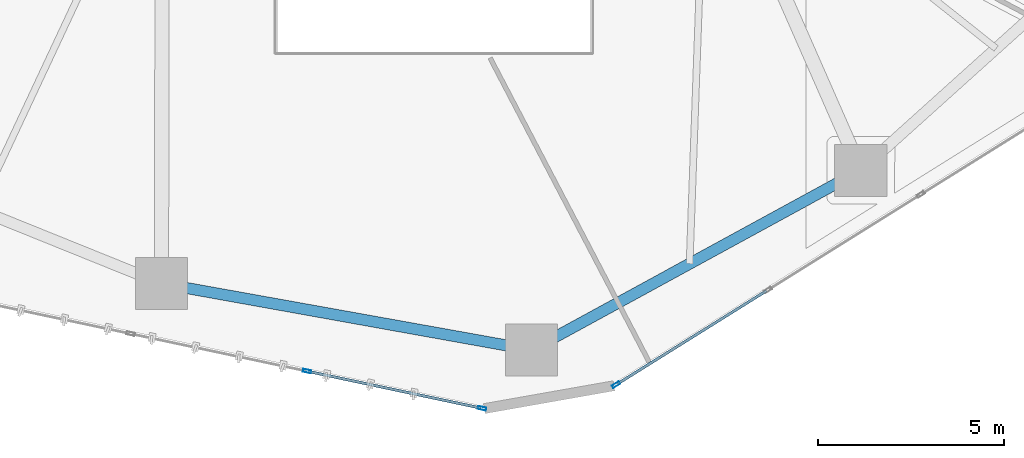
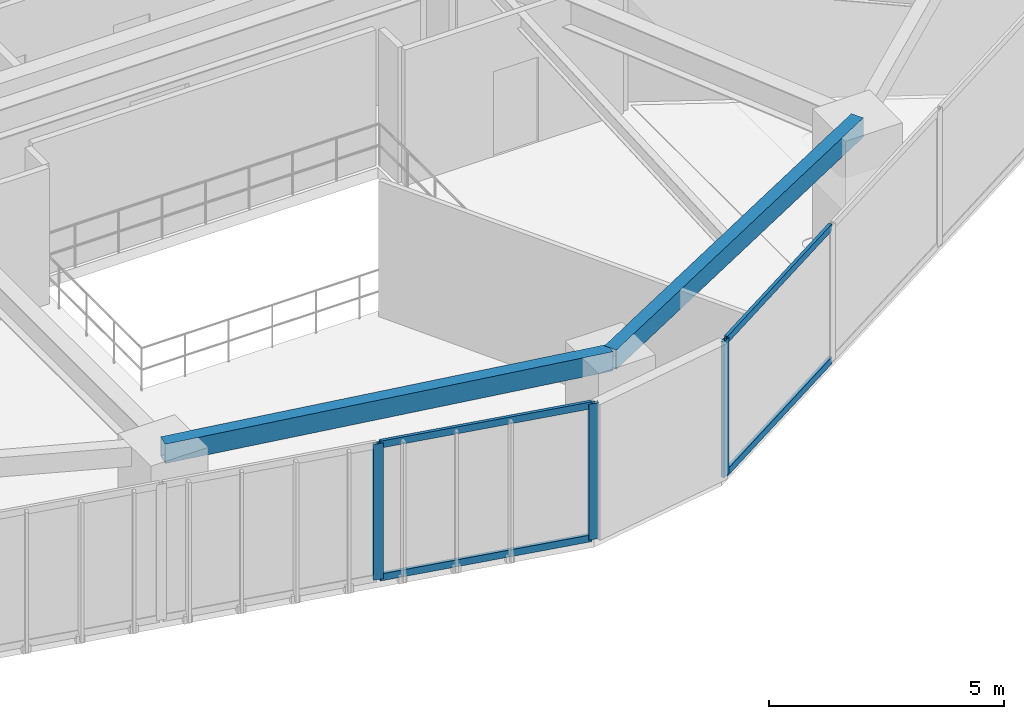
# One storey, part 4 of 22: 7 members, 2 beams, 2 elements without a shape of their own.
"""IFC4 building model written with IfcOpenShell, lengths in metres."""

from ifc_helpers import new_model, si_unit, direction, frame, origin, origin_2d, place, context, subcontext, project, spatial, hollow_rectangle, extrude, source, transform, mapped, material, layer, layer_set, material_profile, profile_set, type_object, type_shapes, element, aggregate, save


model = new_model("IFC4")

# Units and contexts
model_context = context("Model", 3, precision=1e-05, world=origin(), true_north=direction((0.0, 1.0)))
body_context = subcontext(model_context, "Body", "Model", "MODEL_VIEW")
ifc_project = project(units=[si_unit("LENGTHUNIT", "METRE"), si_unit("AREAUNIT", "SQUARE_METRE"), si_unit("VOLUMEUNIT", "CUBIC_METRE"), si_unit("PLANEANGLEUNIT", "RADIAN"), si_unit("MASSUNIT", "GRAM", prefix="KILO")], contexts=[model_context])

# Site, building, storey
site_placement = place(None, origin())
site = spatial("IfcSite", under=ifc_project, at=site_placement, CompositionType="ELEMENT")
building_placement = place(site_placement, origin())
building = spatial("IfcBuilding", under=site, at=building_placement, Name="Talar Marvaseh", CompositionType="ELEMENT")
storey_placement = place(building_placement, frame((0.0, 0.0, 54.39990234375)))
storey = spatial("IfcBuildingStorey", under=building, at=storey_placement, Name="L13", CompositionType="ELEMENT", Elevation=54.39990234375)

# Beams
ifc_material_1 = material(Name="Steel S355", Category="steel")
ifc_material_profile_1 = material_profile(ifc_material_1, hollow_rectangle(XDim=0.300048828125, YDim=0.5, WallThickness=0.02001953125, at=origin_2d()), Name="RHS500x300x20")
ifc_profile_set_1 = profile_set([ifc_material_profile_1], Name="Steel S355")
beam_type = type_object("IfcBeamType", Name="Zone 1 Perimeter Spandrel Beam RHS500x300x20", PredefinedType="SPANDREL", material=ifc_profile_set_1)
beam_1_placement = place(storey_placement, frame((37.468017578125, 16.02099609375, 3.27001953125), z_axis=(-0.877792749602, -0.47904059196, 0.0), x_axis=(0.47904059196, -0.877792749602, 0.0)))
element("IfcBeam", 1, at=beam_1_placement, inside=storey, type_object=beam_type, Name="L13 Zone 1 Perimeter Spandrel Beam RHS500x300x20", PredefinedType="SPANDREL", context=body_context, shape_type="SweptSolid", body=[
    extrude(hollow_rectangle(XDim=0.300048828125, YDim=0.5, WallThickness=0.02001953125, at=origin_2d()), origin(), (0.0, 0.0, 1.0), 10.07421875),
])
beam_2_placement = place(storey_placement, frame((28.625, 11.195068359375, 3.27001953125), z_axis=(-0.984279934962, 0.176615428632, 0.0), x_axis=(-0.176615428632, -0.984279934962, 0.0)))
element("IfcBeam", 2, at=beam_2_placement, inside=storey, type_object=beam_type, Name="L13 Zone 1 Perimeter Spandrel Beam RHS500x300x20", PredefinedType="SPANDREL", context=body_context, shape_type="SweptSolid", body=[
    extrude(hollow_rectangle(XDim=0.300048828125, YDim=0.5, WallThickness=0.02001953125, at=origin_2d()), origin(), (0.0, 0.0, 1.0), 10.1005859375),
])

# Curtain wall, member
ifc_material_2 = material(Name="Architectural Aluminium", Category="aluminium")
ifc_layer = layer(ifc_material_2, 0.219970703125)
ifc_layer_set = layer_set([ifc_layer], Name="Architectural Aluminium")
curtain_wall_type = type_object("IfcCurtainWallType", Name="Unitised Low-E Museum Curtain Wall Z1", PredefinedType="NOTDEFINED", material=ifc_layer_set)
curtain_wall_1_placement = place(storey_placement, origin())
curtain_wall_1 = element("IfcCurtainWall", 3, at=curtain_wall_1_placement, inside=storey, type_object=curtain_wall_type, Name="L13 Unitised Low-E Museum Curtain Wall Z1", PredefinedType="NOTDEFINED")
ifc_material_profile_2 = material_profile(ifc_material_2, hollow_rectangle(XDim=0.080078125, YDim=0.219970703125, WallThickness=0.0048828125, at=origin_2d()), Name="RHS220x80x5")
ifc_profile_set_2 = profile_set([ifc_material_profile_2], Name="Architectural Aluminium")
member_type_1 = type_object("IfcMemberType", Name="Unitised Curtain Wall Heavy Mullion RHS220x80x5", PredefinedType="MULLION", material=ifc_profile_set_2)
shared_shape_1 = source(origin(), body_context, "Body", "SweptSolid", [
    extrude(hollow_rectangle(XDim=0.080078125, YDim=0.219970703125, WallThickness=0.0048828125, at=origin_2d()), origin(), (0.0, 0.0, 1.0), 3.52001953125),
])
type_shapes(member_type_1, [shared_shape_1])
member_1_placement = place(storey_placement, frame((30.895263671875, 10.261474609375, 0.0), z_axis=(0.0, 0.0, 1.0), x_axis=(0.529787438005, -0.848130456081, 0.0)))
member_1 = element("IfcMember", 4, at=member_1_placement, type_object=member_type_1, Name="CW-Z1 mullion 6", PredefinedType="MULLION", context=body_context, shape_type="MappedRepresentation", body=[
    mapped(shared_shape_1, transform((0.0, 0.0, 0.0), x_axis=(1.0, 0.0, 0.0), y_axis=(0.0, 1.0, 0.0), z_axis=(0.0, 0.0, 1.0), scale=1.0)),
])

# Curtain wall, members
curtain_wall_2_placement = place(storey_placement, origin())
curtain_wall_2 = element("IfcCurtainWall", 5, at=curtain_wall_2_placement, inside=storey, type_object=curtain_wall_type, Name="L13 Unitised Low-E Museum Curtain Wall Z1", PredefinedType="NOTDEFINED")
member_2_placement = place(storey_placement, frame((27.295654296875, 9.626708984375, 0.0), z_axis=(0.0, 0.0, 1.0), x_axis=(-0.207758194737, -0.978180214745, 0.0)))
member_2 = element("IfcMember", 6, at=member_2_placement, type_object=member_type_1, Name="CW-Z1 mullion 1", PredefinedType="MULLION", context=body_context, shape_type="MappedRepresentation", body=[
    mapped(shared_shape_1, transform((0.0, 0.0, 0.0), x_axis=(1.0, 0.0, 0.0), y_axis=(0.0, 1.0, 0.0), z_axis=(0.0, 0.0, 1.0), scale=1.0)),
])
member_3_placement = place(storey_placement, frame((22.59521484375, 10.625244140625, 0.0), z_axis=(0.0, 0.0, 1.0), x_axis=(-0.207758194737, -0.978180214745, 0.0)))
member_3 = element("IfcMember", 7, at=member_3_placement, type_object=member_type_1, Name="CW-Z1 mullion 2", PredefinedType="MULLION", context=body_context, shape_type="MappedRepresentation", body=[
    mapped(shared_shape_1, transform((0.0, 0.0, 0.0), x_axis=(1.0, 0.0, 0.0), y_axis=(0.0, 1.0, 0.0), z_axis=(0.0, 0.0, 1.0), scale=1.0)),
])

# Member
ifc_material_profile_3 = material_profile(ifc_material_2, hollow_rectangle(XDim=0.074951171875, YDim=0.179931640625, WallThickness=0.0048828125, at=origin_2d()), Name="RHS180x75x5")
ifc_profile_set_3 = profile_set([ifc_material_profile_3], Name="Architectural Aluminium")
member_type_2 = type_object("IfcMemberType", Name="Unitised Curtain Wall Transom RHS180x75x5", PredefinedType="USERDEFINED", material=ifc_profile_set_3)
shared_shape_2 = source(origin(), body_context, "Body", "SweptSolid", [
    extrude(hollow_rectangle(XDim=0.074951171875, YDim=0.179931640625, WallThickness=0.0048828125, at=origin_2d()), origin(), (0.0, 0.0, 1.0), 4.725341796875),
])
type_shapes(member_type_2, [shared_shape_2])
member_4_placement = place(storey_placement, frame((34.93701171875, 12.7861328125, 0.03759765625), z_axis=(-0.848137596868, -0.529776006231, 0.0), x_axis=(0.529776006231, -0.848137596868, 0.0)))
member_4 = element("IfcMember", 8, at=member_4_placement, type_object=member_type_2, Name="CW-Z1 transom 5.1", ObjectType="TRANSOM", PredefinedType="USERDEFINED", context=body_context, shape_type="MappedRepresentation", body=[
    mapped(shared_shape_2, transform((0.0, 0.0, 0.0), x_axis=(1.0, 0.0, 0.0), y_axis=(0.0, 1.0, 0.0), z_axis=(0.0, 0.0, 1.0), scale=1.0)),
])

member_5_placement = place(storey_placement, frame((34.93701171875, 12.7861328125, 3.482666015625), z_axis=(-0.848137596868, -0.529776006231, 0.0), x_axis=(0.529776006231, -0.848137596868, 0.0)))
member_5 = element("IfcMember", 9, at=member_5_placement, type_object=member_type_2, Name="CW-Z1 transom 5.2", ObjectType="TRANSOM", PredefinedType="USERDEFINED", context=body_context, shape_type="MappedRepresentation", body=[
    mapped(shared_shape_2, transform((0.0, 0.0, 0.0), x_axis=(1.0, 0.0, 0.0), y_axis=(0.0, 1.0, 0.0), z_axis=(0.0, 0.0, 1.0), scale=1.0)),
])

aggregate(curtain_wall_1, [member_1, member_4, member_5])

member_6_placement = place(storey_placement, frame((27.256591796875, 9.635009765625, 0.03759765625), z_axis=(-0.978169879777, 0.207806848535, 0.0), x_axis=(-0.207806848535, -0.978169879777, 0.0)))
member_6 = element("IfcMember", 10, at=member_6_placement, type_object=member_type_2, Name="CW-Z1 transom 1.1", ObjectType="TRANSOM", PredefinedType="USERDEFINED", context=body_context, shape_type="MappedRepresentation", body=[
    mapped(shared_shape_2, transform((0.0, 0.0, 0.0), x_axis=(1.0, 0.0, 0.0), y_axis=(0.0, 1.0, 0.0), z_axis=(0.0, 0.0, 1.0), scale=1.0)),
])

member_7_placement = place(storey_placement, frame((27.256591796875, 9.635009765625, 3.482666015625), z_axis=(-0.978169879777, 0.207806848535, 0.0), x_axis=(-0.207806848535, -0.978169879777, 0.0)))
member_7 = element("IfcMember", 11, at=member_7_placement, type_object=member_type_2, Name="CW-Z1 transom 1.2", ObjectType="TRANSOM", PredefinedType="USERDEFINED", context=body_context, shape_type="MappedRepresentation", body=[
    mapped(shared_shape_2, transform((0.0, 0.0, 0.0), x_axis=(1.0, 0.0, 0.0), y_axis=(0.0, 1.0, 0.0), z_axis=(0.0, 0.0, 1.0), scale=1.0)),
])

aggregate(curtain_wall_2, [member_2, member_3, member_6, member_7])

save(model, "model.ifc")
